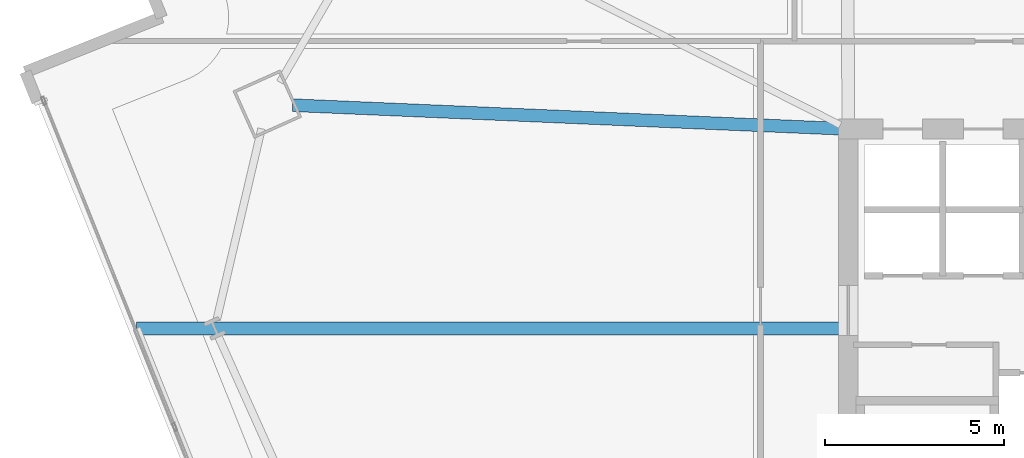
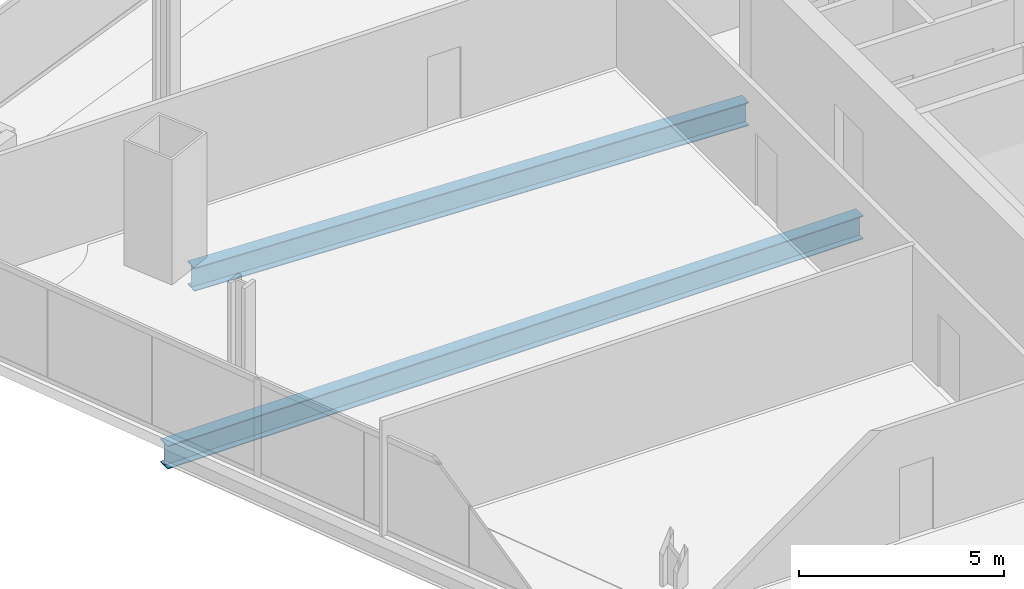
# One storey, part 15 of 33: 2 beams.
"""IFC4 building model written with IfcOpenShell, lengths in metres."""

from ifc_helpers import new_model, si_unit, direction, frame, origin, origin_2d, place, context, subcontext, project, spatial, i_section, extrude, material, material_profile, profile_set, type_object, element, save


model = new_model("IFC4")

# Units and contexts
model_context = context("Model", 3, precision=1e-05, world=origin(), true_north=direction((0.0, 1.0)))
body_context = subcontext(model_context, "Body", "Model", "MODEL_VIEW")
ifc_project = project(units=[si_unit("LENGTHUNIT", "METRE"), si_unit("AREAUNIT", "SQUARE_METRE"), si_unit("VOLUMEUNIT", "CUBIC_METRE"), si_unit("PLANEANGLEUNIT", "RADIAN"), si_unit("MASSUNIT", "GRAM", prefix="KILO")], contexts=[model_context])

# Site, building, storey
site_placement = place(None, origin())
site = spatial("IfcSite", under=ifc_project, at=site_placement, CompositionType="ELEMENT")
building_placement = place(site_placement, origin())
building = spatial("IfcBuilding", under=site, at=building_placement, Name="Haldenkirk Collegiate Tower", CompositionType="ELEMENT")
storey_placement = place(building_placement, frame((0.0, 0.0, 101.699951171875)))
storey = spatial("IfcBuildingStorey", under=building, at=storey_placement, Name="L24", CompositionType="ELEMENT", Elevation=101.699951171875)

# Beams
ifc_material = material(Name="Steel ASTM A992 Grade 50", Category="steel")
ifc_material_profile = material_profile(ifc_material, i_section(OverallWidth=0.35498046875, OverallDepth=0.696044921875, WebThickness=0.015380859375, FlangeThickness=0.02490234375, at=origin_2d()), Name="W27X146")
ifc_profile_set = profile_set([ifc_material_profile], Name="Steel ASTM A992 Grade 50")
beam_type = type_object("IfcBeamType", Name="BM-GIRDER-W27X146", PredefinedType="BEAM", material=ifc_profile_set)
beam_1_placement = place(storey_placement, frame((11.489990234375, 34.6650390625, -0.64794921875), z_axis=(0.999082162822, -0.042834938212, 0.0), x_axis=(0.042834938212, 0.999082162822, 0.0)))
element("IfcBeam", 1, at=beam_1_placement, inside=storey, type_object=beam_type, Name="L24 primary floor girder 04", PredefinedType="BEAM", context=body_context, shape_type="SweptSolid", body=[
    extrude(i_section(OverallWidth=0.35498046875, OverallDepth=0.696044921875, WebThickness=0.015380859375, FlangeThickness=0.02490234375, at=origin_2d()), origin(), (0.0, 0.0, 1.0), 15.26904296875),
])
beam_2_placement = place(storey_placement, frame((7.139892578125, 28.436767578125, -0.64794921875), z_axis=(1.0, 0.0, 0.0), x_axis=(0.0, 1.0, 0.0)))
element("IfcBeam", 2, at=beam_2_placement, inside=storey, type_object=beam_type, Name="L24 primary floor girder 14", PredefinedType="BEAM", context=body_context, shape_type="SweptSolid", body=[
    extrude(i_section(OverallWidth=0.35498046875, OverallDepth=0.696044921875, WebThickness=0.015380859375, FlangeThickness=0.02490234375, at=origin_2d()), origin(), (0.0, 0.0, 1.0), 19.605224609375),
])

save(model, "model.ifc")
